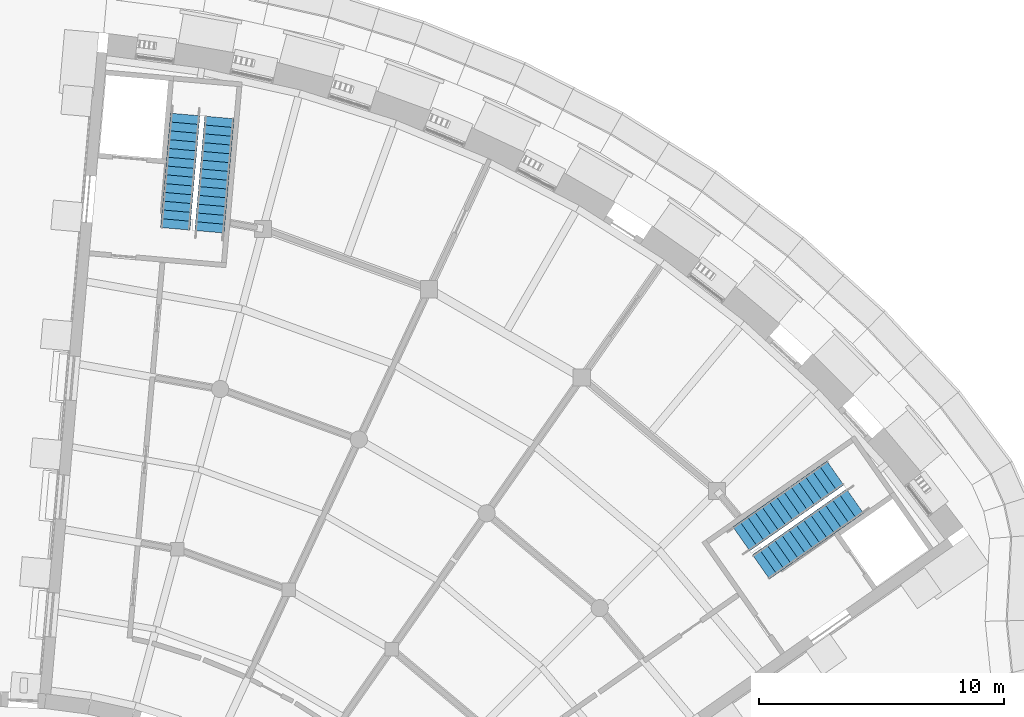
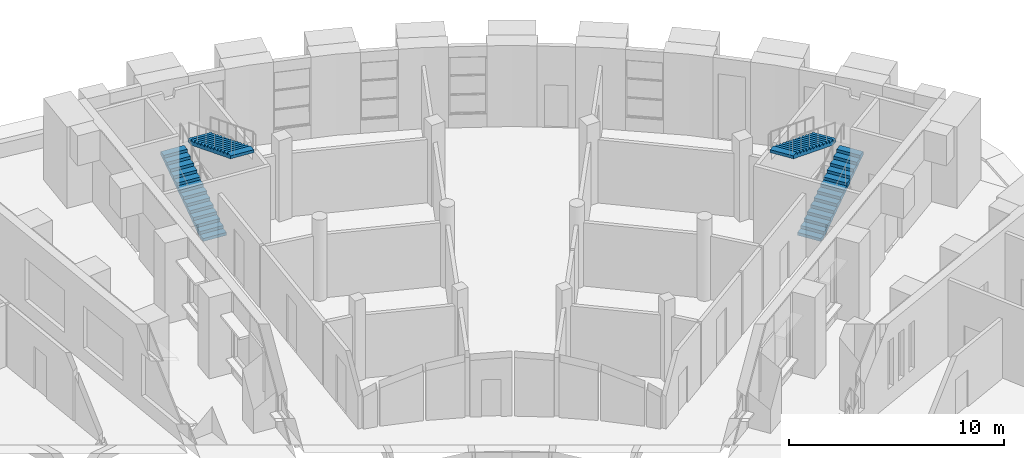
# One storey, part 63 of 85: 4 stair flights, 2 elements without a shape of their own.
"""IFC4 building model written with IfcOpenShell, lengths in metres."""

import ifcopenshell
import ifcopenshell.guid

model = None  # the IFC model being written
_history = None  # IfcOwnerHistory: only IFC2X3 demands one
_inside = {}  # id of a spatial element -> (the spatial element, [elements in it])
_under = {}  # id of a project, library or spatial element -> (it, [spatial elements below it])
_declared = {}  # id of a project -> (the project, [libraries it declares])
_typed = {}  # id of a type object -> (the type object, [elements of that type])
_made_of = {}  # id of a material, layer set ... -> (it, [elements and type objects made of it])


def new_model(schema):
    """Start an empty IFC model of exactly this schema.

    Asked for "IFC4X3", IfcOpenShell would pick the latest addendum, in which some entities
    have other attributes; the version numbers below select the first issue.
    IFC2X3 requires an IfcOwnerHistory on every rooted entity: one is made here for all.
    """
    global model, _history
    if schema == "IFC4X3":
        model = ifcopenshell.file(schema_version=(4, 3, 0, 0))
    else:
        model = ifcopenshell.file(schema=schema)
    _inside.clear()
    _under.clear()
    _declared.clear()
    _typed.clear()
    _made_of.clear()
    _history = None
    if model.schema == "IFC2X3":
        org = make("IfcOrganization", Name="unknown")
        user = make(
            "IfcPersonAndOrganization",
            ThePerson=make("IfcPerson", FamilyName="unknown"),
            TheOrganization=org,
        )
        app = make(
            "IfcApplication",
            ApplicationDeveloper=org,
            Version="unknown",
            ApplicationFullName="unknown",
            ApplicationIdentifier="unknown",
        )
        _history = make(
            "IfcOwnerHistory",
            OwningUser=user,
            OwningApplication=app,
            ChangeAction="ADDED",
            CreationDate=0,
        )
    return model


def make(cls, **values):
    """One entity of the class cls with the attributes given. An attribute that is None is left unset."""
    return model.create_entity(
        cls, **{name: value for name, value in values.items() if value is not None}
    )


def rooted(cls, **values):
    """An entity with a GlobalId (a new one), such as an element, a storey or a relation."""
    return make(cls, GlobalId=ifcopenshell.guid.new(), OwnerHistory=_history, **values)


def si_unit(unit_type, name, prefix=None):
    """IfcSIUnit, for example si_unit("LENGTHUNIT", "METRE", prefix="MILLI")."""
    return make("IfcSIUnit", UnitType=unit_type, Prefix=prefix, Name=name)


def assignment(units):
    """IfcUnitAssignment: the units of a project."""
    return None if units is None else make("IfcUnitAssignment", Units=units)


def point(xyz):
    """IfcCartesianPoint."""
    return None if xyz is None else make("IfcCartesianPoint", Coordinates=xyz)


def direction(xyz):
    """IfcDirection."""
    return None if xyz is None else make("IfcDirection", DirectionRatios=xyz)


def frame(location, z_axis=None, x_axis=None):
    """IfcAxis2Placement3D, a coordinate frame: its origin and axes. An axis left out is left unset."""
    return make(
        "IfcAxis2Placement3D",
        Location=point(location),
        Axis=direction(z_axis),
        RefDirection=direction(x_axis),
    )


def origin():
    """The frame at (0, 0, 0) with its axes left unset."""
    return frame((0.0, 0.0, 0.0))


def place(relative_to, where):
    """IfcLocalPlacement: puts the frame where relative to a parent placement (None: the world)."""
    return make(
        "IfcLocalPlacement", PlacementRelTo=relative_to, RelativePlacement=where
    )


def context(
    kind, dimensions, precision=None, world=None, true_north=None, identifier=None
):
    """IfcGeometricRepresentationContext, for example the 3D "Model" context."""
    return make(
        "IfcGeometricRepresentationContext",
        ContextIdentifier=identifier,
        ContextType=kind,
        CoordinateSpaceDimension=dimensions,
        Precision=precision,
        WorldCoordinateSystem=world,
        TrueNorth=true_north,
    )


def subcontext(parent, identifier, kind, view, scale=None):
    """IfcGeometricRepresentationSubContext, for example "Body" below "Model"."""
    return make(
        "IfcGeometricRepresentationSubContext",
        ContextIdentifier=identifier,
        ContextType=kind,
        ParentContext=parent,
        TargetScale=scale,
        TargetView=view,
    )


def project(units=None, contexts=None):
    """IfcProject with its units and contexts."""
    return rooted(
        "IfcProject",
        Name="project",
        RepresentationContexts=contexts,
        UnitsInContext=assignment(units),
    )


def spatial(cls, under=None, at=None, **own):
    """A site, building, storey or space (cls), placed at a placement, below another one or the project."""
    s = rooted(cls, ObjectPlacement=at, **own)
    if under is not None:
        _under.setdefault(under.id(), (under, []))[1].append(s)
    return s


def polyline(points):
    """IfcPolyline through the points."""
    return make("IfcPolyline", Points=[point(p) for p in points])


def outline(outer, holes=None, kind="AREA"):
    """IfcArbitraryClosedProfileDef: a profile drawn as a closed curve; with holes, ...WithVoids."""
    if holes is None:
        return make("IfcArbitraryClosedProfileDef", ProfileType=kind, OuterCurve=outer)
    return make(
        "IfcArbitraryProfileDefWithVoids",
        ProfileType=kind,
        OuterCurve=outer,
        InnerCurves=holes,
    )


def extrude(swept, where, along, depth):
    """IfcExtrudedAreaSolid: the profile swept, set in the frame where, extruded along a direction by depth."""
    return make(
        "IfcExtrudedAreaSolid",
        SweptArea=swept,
        Position=where,
        ExtrudedDirection=direction(along),
        Depth=depth,
    )


def shape(context_of_items, identifier, shape_type, items):
    """IfcShapeRepresentation: the items that make up one representation, for example the "Body"."""
    return make(
        "IfcShapeRepresentation",
        ContextOfItems=context_of_items,
        RepresentationIdentifier=identifier,
        RepresentationType=shape_type,
        Items=items,
    )


def material(Name=None, Category=None):
    """IfcMaterial."""
    return make("IfcMaterial", Name=Name, Category=Category)


def made_of(thing, what):
    """Note that an element or type object is made of a material, layer set ...; save() writes the relation."""
    if what is not None:
        _made_of.setdefault(what.id(), (what, []))[1].append(thing)
    return thing


def type_object(cls, material=None, **own):
    """A type object (cls), such as IfcWallType, which elements share."""
    return made_of(rooted(cls, **own), material)


def element(
    cls,
    number,
    at=None,
    inside=None,
    cuts=None,
    type_object=None,
    material=None,
    context=None,
    identifier="Body",
    shape_type=None,
    held_by="IfcProductDefinitionShape",
    body=None,
    shapes=None,
    **own,
):
    """One element of the class cls, such as IfcWall. Its Tag is "e" and its number.

    at: its placement. inside: the storey or other place that contains it. cuts: it is an
    opening in that element (IfcRelVoidsElement). A single representation is given by context,
    identifier, shape_type and body (its items); several are given by shapes. held_by: the class
    of the entity that holds the representations. save() writes the other relations.
    """
    e = rooted(cls, Tag="e%d" % number, ObjectPlacement=at, **own)
    if body is not None:
        shapes = [shape(context, identifier, shape_type, body)]
    if shapes is not None:
        e.Representation = make(held_by, Representations=shapes)
    if inside is not None:
        _inside.setdefault(inside.id(), (inside, []))[1].append(e)
    if cuts is not None:
        rooted(
            "IfcRelVoidsElement", RelatingBuildingElement=cuts, RelatedOpeningElement=e
        )
    if type_object is not None:
        _typed.setdefault(type_object.id(), (type_object, []))[1].append(e)
    return made_of(e, material)


def aggregate(whole, parts):
    """IfcRelAggregates: a whole, such as a stair, and the parts it consists of."""
    return rooted("IfcRelAggregates", RelatingObject=whole, RelatedObjects=parts)


def save(model, path):
    """Write the relations noted so far, then the file.

    IfcRelAggregates (storeys below a building ...), IfcRelContainedInSpatialStructure (elements
    in a storey), IfcRelDefinesByType, IfcRelAssociatesMaterial and IfcRelDeclares: one each for
    every whole, place, type object, material and project.
    """
    for whole, parts in _under.values():
        aggregate(whole, parts)
    for where, things in _inside.values():
        rooted(
            "IfcRelContainedInSpatialStructure",
            RelatedElements=things,
            RelatingStructure=where,
        )
    for kind, things in _typed.values():
        rooted("IfcRelDefinesByType", RelatedObjects=things, RelatingType=kind)
    for what, things in _made_of.values():
        rooted("IfcRelAssociatesMaterial", RelatedObjects=things, RelatingMaterial=what)
    for by, libraries in _declared.values():
        rooted("IfcRelDeclares", RelatingContext=by, RelatedDefinitions=libraries)
    model.write(path)


model = new_model("IFC4")

# Units and contexts
model_context = context("Model", 3, precision=1e-05, world=origin(), true_north=direction((0.0, 1.0)))
body_context = subcontext(model_context, "Body", "Model", "MODEL_VIEW")
ifc_project = project(units=[si_unit("LENGTHUNIT", "METRE"), si_unit("AREAUNIT", "SQUARE_METRE"), si_unit("VOLUMEUNIT", "CUBIC_METRE"), si_unit("PLANEANGLEUNIT", "RADIAN"), si_unit("MASSUNIT", "GRAM", prefix="KILO")], contexts=[model_context])

# Site, building, storey
site_placement = place(None, origin())
site = spatial("IfcSite", under=ifc_project, at=site_placement, CompositionType="ELEMENT")
building_placement = place(site_placement, origin())
building = spatial("IfcBuilding", under=site, at=building_placement, Name="Volute Hill Aquarium", CompositionType="ELEMENT")
storey_placement = place(building_placement, origin())
storey = spatial("IfcBuildingStorey", under=building, at=storey_placement, Name="L01", CompositionType="ELEMENT", Elevation=0.0)

# Stair, stair flights
ifc_material_1 = material(Name="Concrete C35/45", Category="concrete")
stair_type = type_object("IfcStairType", Name="Stair C35/45", PredefinedType="HALF_TURN_STAIR", material=ifc_material_1)
stair_1_placement = place(storey_placement, origin())
stair_1 = element("IfcStair", 1, at=stair_1_placement, inside=storey, type_object=stair_type, Name="ST/S5-A/L01", PredefinedType="HALF_TURN_STAIR")
ifc_material_2 = material(Name="Concrete C35/45", Category="concrete")
stair_flight_type = type_object("IfcStairFlightType", Name="Stair flight C35/45", PredefinedType="STRAIGHT", material=ifc_material_2)
stair_flight_1_placement = place(storey_placement, frame((30.98779296875, 26.0927734375, 0.0), z_axis=(0.0, 0.0, 1.0), x_axis=(0.81912384914, 0.573616701091, 0.0)))
stair_flight_1 = element("IfcStairFlight", 2, at=stair_flight_1_placement, type_object=stair_flight_type, Name="ST-S5-A-01 flight 1", NumberOfRisers=14, NumberOfTreads=13, PredefinedType="STRAIGHT", RiserHeight=0.164285714, TreadLength=0.36, context=body_context, shape_type="SweptSolid", body=[
    extrude(outline(polyline([(0.0, 0.0), (0.0, 0.164306640625), (0.360107421875, 0.164306640625), (0.360107421875, 0.32861328125), (0.719970703125, 0.32861328125), (0.719970703125, 0.492919921875), (1.080078125, 0.492919921875), (1.080078125, 0.6572265625), (1.43994140625, 0.6572265625), (1.43994140625, 0.821533203125), (1.800048828125, 0.821533203125), (1.800048828125, 0.985595703125), (2.159912109375, 0.985595703125), (2.159912109375, 1.14990234375), (2.52001953125, 1.14990234375), (2.52001953125, 1.314208984375), (2.8798828125, 1.314208984375), (2.8798828125, 1.478515625), (3.239990234375, 1.478515625), (3.239990234375, 1.642822265625), (3.60009765625, 1.642822265625), (3.60009765625, 1.80712890625), (3.9599609375, 1.80712890625), (3.9599609375, 1.971435546875), (4.320068359375, 1.971435546875), (4.320068359375, 2.1357421875), (4.679931640625, 2.1357421875), (4.679931640625, 2.300048828125), (4.679931640625, 1.970947265625), (0.361083984375, 0.0), (0.0, 0.0)])), frame((0.0, 0.60009765625, 0.0), z_axis=(0.0, -1.0, 0.0), x_axis=(1.0, 0.0, 0.0)), (0.0, 0.0, 1.0), 1.199951171875),
])
stair_flight_2_placement = place(storey_placement, frame((34.0185546875, 29.923828125, 2.300048828125), z_axis=(0.0, 0.0, 1.0), x_axis=(-0.81912384914, -0.573616701091, 0.0)))
stair_flight_2 = element("IfcStairFlight", 3, at=stair_flight_2_placement, type_object=stair_flight_type, Name="ST-S5-A-01 flight 2", NumberOfRisers=14, NumberOfTreads=13, PredefinedType="STRAIGHT", RiserHeight=0.164285714, TreadLength=0.36, context=body_context, shape_type="SweptSolid", body=[
    extrude(outline(polyline([(0.0, 0.0), (0.0, 0.164306640625), (0.360107421875, 0.164306640625), (0.360107421875, 0.32861328125), (0.719970703125, 0.32861328125), (0.719970703125, 0.492919921875), (1.080078125, 0.492919921875), (1.080078125, 0.6572265625), (1.43994140625, 0.6572265625), (1.43994140625, 0.821533203125), (1.800048828125, 0.821533203125), (1.800048828125, 0.985595703125), (2.159912109375, 0.985595703125), (2.159912109375, 1.14990234375), (2.52001953125, 1.14990234375), (2.52001953125, 1.314208984375), (2.8798828125, 1.314208984375), (2.8798828125, 1.478515625), (3.239990234375, 1.478515625), (3.239990234375, 1.642822265625), (3.60009765625, 1.642822265625), (3.60009765625, 1.80712890625), (3.9599609375, 1.80712890625), (3.9599609375, 1.971435546875), (4.320068359375, 1.971435546875), (4.320068359375, 2.1357421875), (4.679931640625, 2.1357421875), (4.679931640625, 2.300048828125), (4.679931640625, 1.970947265625), (0.361083984375, 0.0), (0.0, 0.0)])), frame((0.0, 0.60009765625, 0.0), z_axis=(0.0, -1.0, 0.0), x_axis=(1.0, 0.0, 0.0)), (0.0, 0.0, 1.0), 1.199951171875),
])
aggregate(stair_1, [stair_flight_1, stair_flight_2])

stair_2_placement = place(storey_placement, origin())
stair_2 = element("IfcStair", 4, at=stair_2_placement, inside=storey, type_object=stair_type, Name="ST/S5-B/L01", PredefinedType="HALF_TURN_STAIR")
stair_flight_3_placement = place(storey_placement, frame((7.10302734375, 39.8828125, 0.0), z_axis=(0.0, 0.0, 1.0), x_axis=(0.08710864073, 0.996198817862, 0.0)))
stair_flight_3 = element("IfcStairFlight", 5, at=stair_flight_3_placement, type_object=stair_flight_type, Name="ST-S5-B-01 flight 1", NumberOfRisers=14, NumberOfTreads=13, PredefinedType="STRAIGHT", RiserHeight=0.164285714, TreadLength=0.36, context=body_context, shape_type="SweptSolid", body=[
    extrude(outline(polyline([(0.0, 0.0), (0.0, 0.164306640625), (0.360107421875, 0.164306640625), (0.360107421875, 0.32861328125), (0.719970703125, 0.32861328125), (0.719970703125, 0.492919921875), (1.080078125, 0.492919921875), (1.080078125, 0.6572265625), (1.43994140625, 0.6572265625), (1.43994140625, 0.821533203125), (1.800048828125, 0.821533203125), (1.800048828125, 0.985595703125), (2.159912109375, 0.985595703125), (2.159912109375, 1.14990234375), (2.52001953125, 1.14990234375), (2.52001953125, 1.314208984375), (2.8798828125, 1.314208984375), (2.8798828125, 1.478515625), (3.239990234375, 1.478515625), (3.239990234375, 1.642822265625), (3.60009765625, 1.642822265625), (3.60009765625, 1.80712890625), (3.9599609375, 1.80712890625), (3.9599609375, 1.971435546875), (4.320068359375, 1.971435546875), (4.320068359375, 2.1357421875), (4.679931640625, 2.1357421875), (4.679931640625, 2.300048828125), (4.679931640625, 1.970947265625), (0.361083984375, 0.0), (0.0, 0.0)])), frame((0.0, 0.60009765625, 0.0), z_axis=(0.0, -1.0, 0.0), x_axis=(1.0, 0.0, 0.0)), (0.0, 0.0, 1.0), 1.199951171875),
])
stair_flight_4_placement = place(storey_placement, frame((8.905517578125, 44.4228515625, 2.300048828125), z_axis=(0.0, 0.0, 1.0), x_axis=(-0.08710864073, -0.996198817862, 0.0)))
stair_flight_4 = element("IfcStairFlight", 6, at=stair_flight_4_placement, type_object=stair_flight_type, Name="ST-S5-B-01 flight 2", NumberOfRisers=14, NumberOfTreads=13, PredefinedType="STRAIGHT", RiserHeight=0.164285714, TreadLength=0.36, context=body_context, shape_type="SweptSolid", body=[
    extrude(outline(polyline([(0.0, 0.0), (0.0, 0.164306640625), (0.360107421875, 0.164306640625), (0.360107421875, 0.32861328125), (0.719970703125, 0.32861328125), (0.719970703125, 0.492919921875), (1.080078125, 0.492919921875), (1.080078125, 0.6572265625), (1.43994140625, 0.6572265625), (1.43994140625, 0.821533203125), (1.800048828125, 0.821533203125), (1.800048828125, 0.985595703125), (2.159912109375, 0.985595703125), (2.159912109375, 1.14990234375), (2.52001953125, 1.14990234375), (2.52001953125, 1.314208984375), (2.8798828125, 1.314208984375), (2.8798828125, 1.478515625), (3.239990234375, 1.478515625), (3.239990234375, 1.642822265625), (3.60009765625, 1.642822265625), (3.60009765625, 1.80712890625), (3.9599609375, 1.80712890625), (3.9599609375, 1.971435546875), (4.320068359375, 1.971435546875), (4.320068359375, 2.1357421875), (4.679931640625, 2.1357421875), (4.679931640625, 2.300048828125), (4.679931640625, 1.970947265625), (0.361083984375, 0.0), (0.0, 0.0)])), frame((0.0, 0.60009765625, 0.0), z_axis=(0.0, -1.0, 0.0), x_axis=(1.0, 0.0, 0.0)), (0.0, 0.0, 1.0), 1.199951171875),
])
aggregate(stair_2, [stair_flight_3, stair_flight_4])

save(model, "model.ifc")
